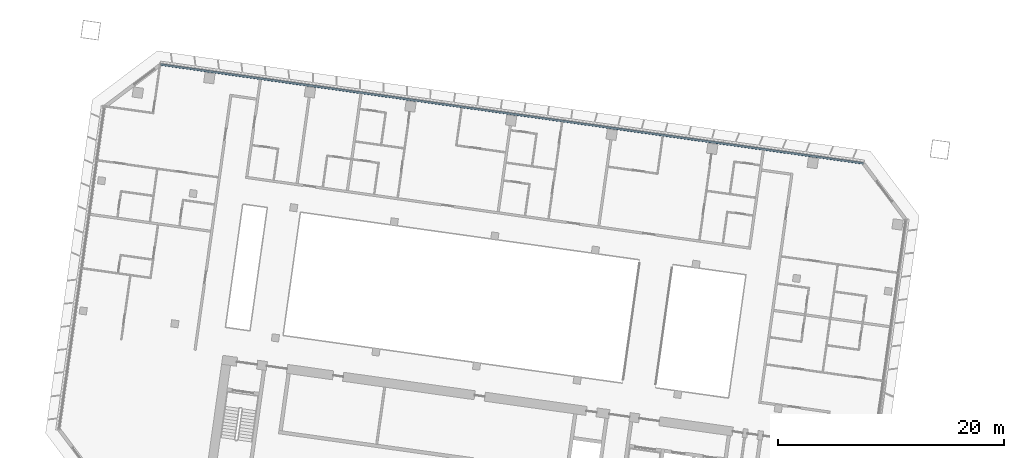
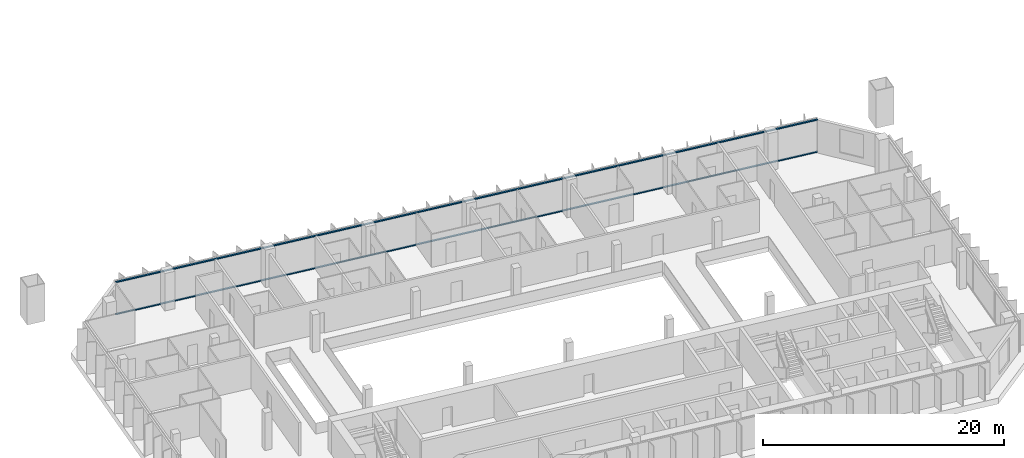
# One storey, part 4 of 27: 2 members, 1 element without a shape of its own.
"""IFC4 building model written with IfcOpenShell, lengths in metres."""

from ifc_helpers import new_model, si_unit, direction, frame, origin, origin_2d, place, context, subcontext, project, spatial, rectangle, extrude, material, material_profile, profile_set, type_object, element, aggregate, save


model = new_model("IFC4")

# Units and contexts
model_context = context("Model", 3, precision=1e-05, world=origin(), true_north=direction((0.0, 1.0)))
body_context = subcontext(model_context, "Body", "Model", "MODEL_VIEW")
ifc_project = project(units=[si_unit("LENGTHUNIT", "METRE"), si_unit("AREAUNIT", "SQUARE_METRE"), si_unit("VOLUMEUNIT", "CUBIC_METRE"), si_unit("PLANEANGLEUNIT", "RADIAN"), si_unit("MASSUNIT", "GRAM", prefix="KILO")], contexts=[model_context])

# Site, building, storey
site_placement = place(None, origin())
site = spatial("IfcSite", under=ifc_project, at=site_placement, CompositionType="ELEMENT")
building_placement = place(site_placement, origin())
building = spatial("IfcBuilding", under=site, at=building_placement, Name="Mirante Cascada Hotel Towers", CompositionType="ELEMENT")
storey_placement = place(building_placement, frame((0.0, 0.0, 117.7)))
storey = spatial("IfcBuildingStorey", under=building, at=storey_placement, Name="L26", CompositionType="ELEMENT", Elevation=117.7)

# Curtain wall, members
ifc_material_1 = material(Name="Aluminium mullion and transom frame with clear laminated glass", Category="aluminium")
curtain_wall_type = type_object("IfcCurtainWallType", Name="Ribbon curtain wall ECW1", PredefinedType="NOTDEFINED", material=ifc_material_1)
curtain_wall_placement = place(storey_placement, origin())
curtain_wall = element("IfcCurtainWall", 1, at=curtain_wall_placement, inside=storey, type_object=curtain_wall_type, Name="Front ribbon wall T1 L26", PredefinedType="NOTDEFINED")
ifc_material_2 = material(Name="Anodised aluminium extrusion", Category="aluminium")
ifc_material_profile = material_profile(ifc_material_2, rectangle(XDim=0.16, YDim=0.1, at=origin_2d()), Name="ECW1 TRANSOM 100x160")
ifc_profile_set = profile_set([ifc_material_profile], Name="Anodised aluminium extrusion")
member_type = type_object("IfcMemberType", Name="ECW1 transom 100x160", PredefinedType="USERDEFINED", material=ifc_profile_set)
member_1_placement = place(storey_placement, frame((-94.1582, 26.0521, 0.05), z_axis=(0.9902681, -0.1391728, 0.0), x_axis=(0.1391728, 0.9902681, 0.0)))
member_1 = element("IfcMember", 2, at=member_1_placement, type_object=member_type, Name="ECW1 sill transom", ObjectType="TRANSOM", PredefinedType="USERDEFINED", context=body_context, shape_type="SweptSolid", body=[
    extrude(rectangle(XDim=0.16, YDim=0.1, at=origin_2d()), origin(), (0.0, 0.0, 1.0), 62.8758),
])
member_2_placement = place(storey_placement, frame((-94.1582, 26.0521, 3.3), z_axis=(0.9902681, -0.1391728, 0.0), x_axis=(0.1391728, 0.9902681, 0.0)))
member_2 = element("IfcMember", 3, at=member_2_placement, type_object=member_type, Name="ECW1 head transom", ObjectType="TRANSOM", PredefinedType="USERDEFINED", context=body_context, shape_type="SweptSolid", body=[
    extrude(rectangle(XDim=0.16, YDim=0.1, at=origin_2d()), origin(), (0.0, 0.0, 1.0), 62.8758),
])
aggregate(curtain_wall, [member_1, member_2])

save(model, "model.ifc")
